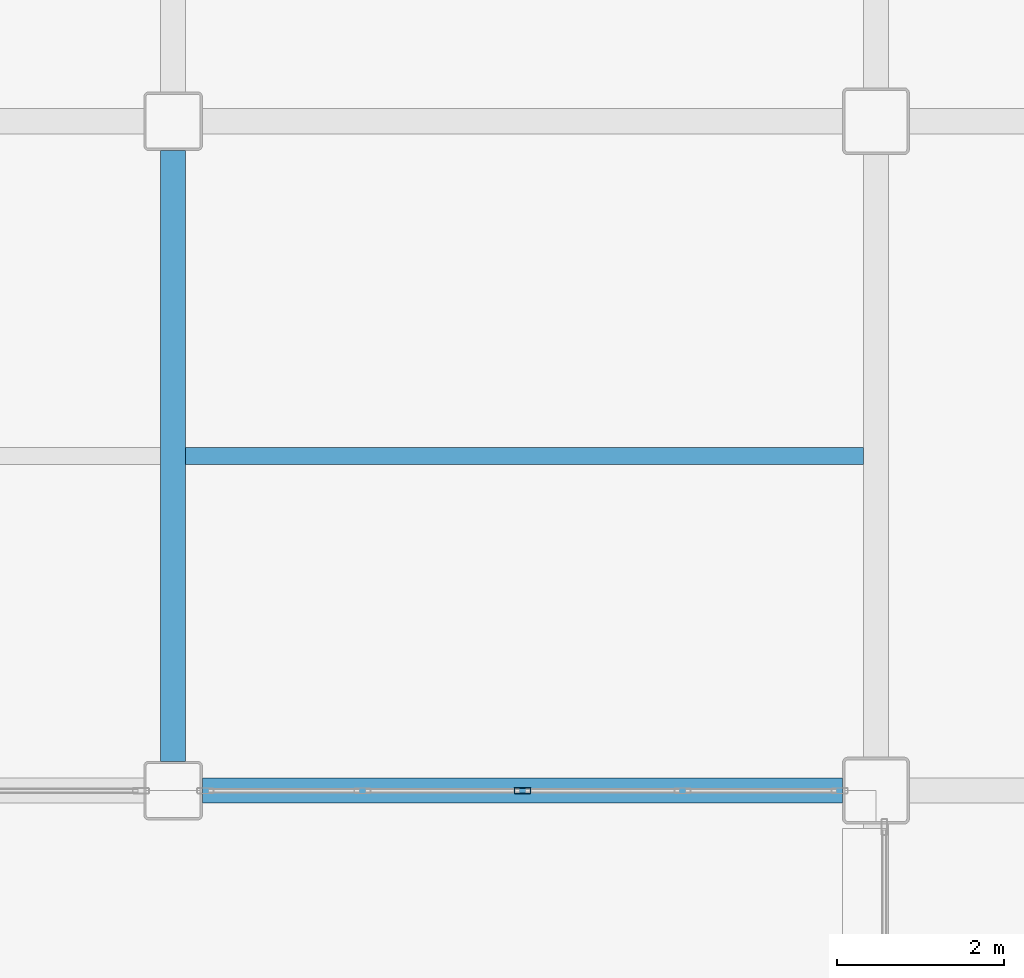
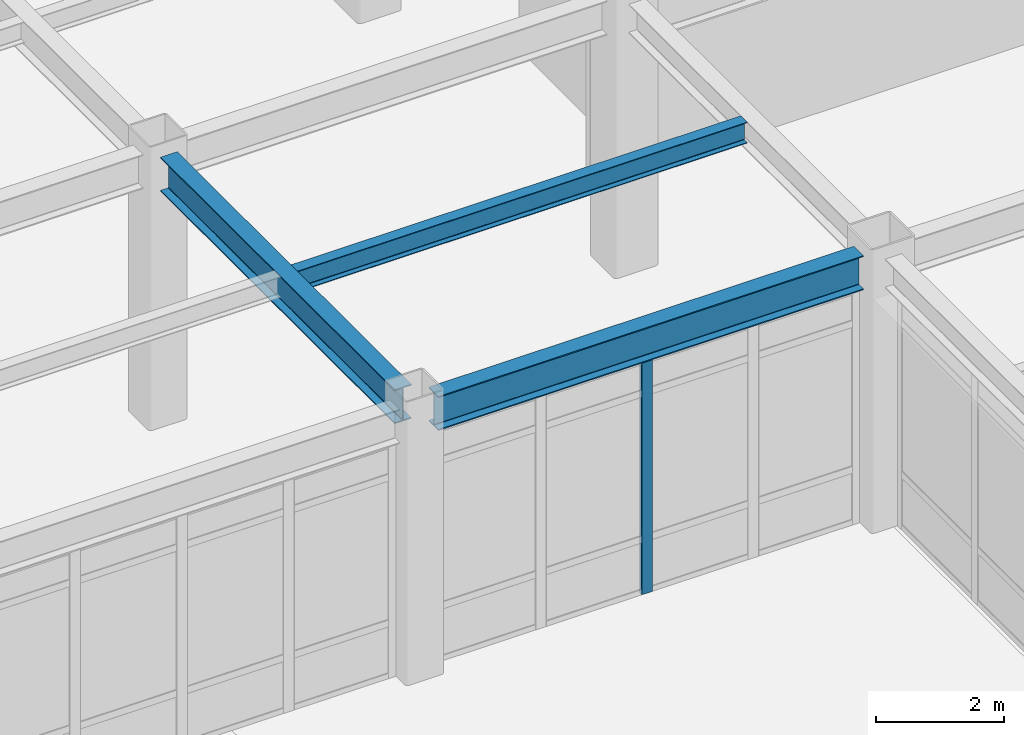
# One storey, part 85 of 165: 3 beams, 1 member, 1 element without a shape of its own.
"""IFC4 building model written with IfcOpenShell, lengths in metres."""

from ifc_helpers import new_model, si_unit, direction, frame, origin, origin_2d, place, context, subcontext, project, spatial, hollow_rectangle, i_section, extrude, material, layer, layer_set, material_profile, profile_set, type_object, element, aggregate, save


model = new_model("IFC4")

# Units and contexts
model_context = context("Model", 3, precision=1e-05, world=origin(), true_north=direction((0.0, 1.0)))
body_context = subcontext(model_context, "Body", "Model", "MODEL_VIEW")
ifc_project = project(units=[si_unit("LENGTHUNIT", "METRE"), si_unit("AREAUNIT", "SQUARE_METRE"), si_unit("VOLUMEUNIT", "CUBIC_METRE"), si_unit("PLANEANGLEUNIT", "RADIAN"), si_unit("MASSUNIT", "GRAM", prefix="KILO")], contexts=[model_context])

# Site, building, storey
site_placement = place(None, origin())
site = spatial("IfcSite", under=ifc_project, at=site_placement, CompositionType="ELEMENT")
building_placement = place(site_placement, origin())
building = spatial("IfcBuilding", under=site, at=building_placement, Name="Kazehara Bluff Congress Hotel", CompositionType="ELEMENT")
storey_placement = place(building_placement, origin())
storey = spatial("IfcBuildingStorey", under=building, at=storey_placement, Name="L00", CompositionType="ELEMENT", Elevation=0.0)

# Curtain wall, member
ifc_material_1 = material(Name="Anodised aluminium", Category="aluminium")
ifc_layer = layer(ifc_material_1, 0.159912109375)
ifc_layer_set = layer_set([ifc_layer], Name="Anodised aluminium")
curtain_wall_type = type_object("IfcCurtainWallType", Name="TP-CW-19", PredefinedType="NOTDEFINED", material=ifc_layer_set)
curtain_wall_placement = place(storey_placement, origin())
curtain_wall = element("IfcCurtainWall", 1, at=curtain_wall_placement, inside=storey, type_object=curtain_wall_type, Name="L00 curtain wall CW-19 CW-V5-L00-Y1600-13565", PredefinedType="NOTDEFINED")
ifc_material_2 = material(Name="Anodised aluminium", Category="aluminium")
ifc_material_profile_1 = material_profile(ifc_material_2, hollow_rectangle(XDim=0.070068359375, YDim=0.199951171875, WallThickness=0.0048828125, InnerFilletRadius=0.0048828125, OuterFilletRadius=0.010009765625, at=origin_2d()))
ifc_profile_set_1 = profile_set([ifc_material_profile_1], Name="Anodised aluminium")
member_type = type_object("IfcMemberType", Name="TP-CWM-03", PredefinedType="MULLION", material=ifc_profile_set_1)
member_placement = place(storey_placement, frame((139.47509765625, 16.0, 0.0), z_axis=(0.0, 0.0, 1.0), x_axis=(0.0, 1.0, 0.0)))
member = element("IfcMember", 2, at=member_placement, type_object=member_type, Name="CW-19 mullion 3", PredefinedType="MULLION", context=body_context, shape_type="SweptSolid", body=[
    extrude(hollow_rectangle(XDim=0.070068359375, YDim=0.199951171875, WallThickness=0.0048828125, InnerFilletRadius=0.0048828125, OuterFilletRadius=0.010009765625, at=origin_2d()), origin(), (0.0, 0.0, 1.0), 4.47509765625),
])
aggregate(curtain_wall, [member])

# Beams
ifc_material_3 = material(Name="Steel SN490B", Category="steel")
ifc_material_profile_2 = material_profile(ifc_material_3, i_section(OverallWidth=0.300048828125, OverallDepth=0.64990234375, WebThickness=0.011962890625, FlangeThickness=0.02001953125, FilletRadius=0.012939453125, at=origin_2d()))
ifc_profile_set_2 = profile_set([ifc_material_profile_2], Name="Steel SN490B")
beam_type_1 = type_object("IfcBeamType", Name="TP-G-03", PredefinedType="BEAM", material=ifc_profile_set_2)
beam_1_placement = place(storey_placement, frame((135.300048828125, 16.35009765625, 4.824951171875), z_axis=(0.0, 1.0, 0.0), x_axis=(-1.0, 0.0, 0.0)))
element("IfcBeam", 3, at=beam_1_placement, inside=storey, type_object=beam_type_1, Name="L00 girder G-03 227", PredefinedType="BEAM", context=body_context, shape_type="SweptSolid", body=[
    extrude(i_section(OverallWidth=0.300048828125, OverallDepth=0.64990234375, WebThickness=0.011962890625, FlangeThickness=0.02001953125, FilletRadius=0.012939453125, at=origin_2d()), origin(), (0.0, 0.0, 1.0), 7.2998046875),
])
beam_2_placement = place(storey_placement, frame((135.64990234375, 16.0, 4.824951171875), z_axis=(1.0, 0.0, 0.0), x_axis=(0.0, 1.0, 0.0)))
element("IfcBeam", 4, at=beam_2_placement, inside=storey, type_object=beam_type_1, Name="L00 girder G-03 280", PredefinedType="BEAM", context=body_context, shape_type="SweptSolid", body=[
    extrude(i_section(OverallWidth=0.300048828125, OverallDepth=0.64990234375, WebThickness=0.011962890625, FlangeThickness=0.02001953125, FilletRadius=0.012939453125, at=origin_2d()), origin(), (0.0, 0.0, 1.0), 7.650146484375),
])
ifc_material_4 = material(Name="Steel SN400B", Category="steel")
ifc_material_profile_3 = material_profile(ifc_material_4, i_section(OverallWidth=0.199951171875, OverallDepth=0.39990234375, WebThickness=0.008056640625, FlangeThickness=0.012939453125, FilletRadius=0.012939453125, at=origin_2d()))
ifc_profile_set_3 = profile_set([ifc_material_profile_3], Name="Steel SN400B")
beam_type_2 = type_object("IfcBeamType", Name="TP-J-03", PredefinedType="JOIST", material=ifc_profile_set_3)
beam_3_placement = place(storey_placement, frame((135.449951171875, 20.0, 4.949951171875), z_axis=(1.0, 0.0, 0.0), x_axis=(0.0, 1.0, 0.0)))
element("IfcBeam", 5, at=beam_3_placement, inside=storey, type_object=beam_type_2, Name="L00 secondary joist J-03 59", PredefinedType="JOIST", context=body_context, shape_type="SweptSolid", body=[
    extrude(i_section(OverallWidth=0.199951171875, OverallDepth=0.39990234375, WebThickness=0.008056640625, FlangeThickness=0.012939453125, FilletRadius=0.012939453125, at=origin_2d()), origin(), (0.0, 0.0, 1.0), 8.10009765625),
])

save(model, "model.ifc")
